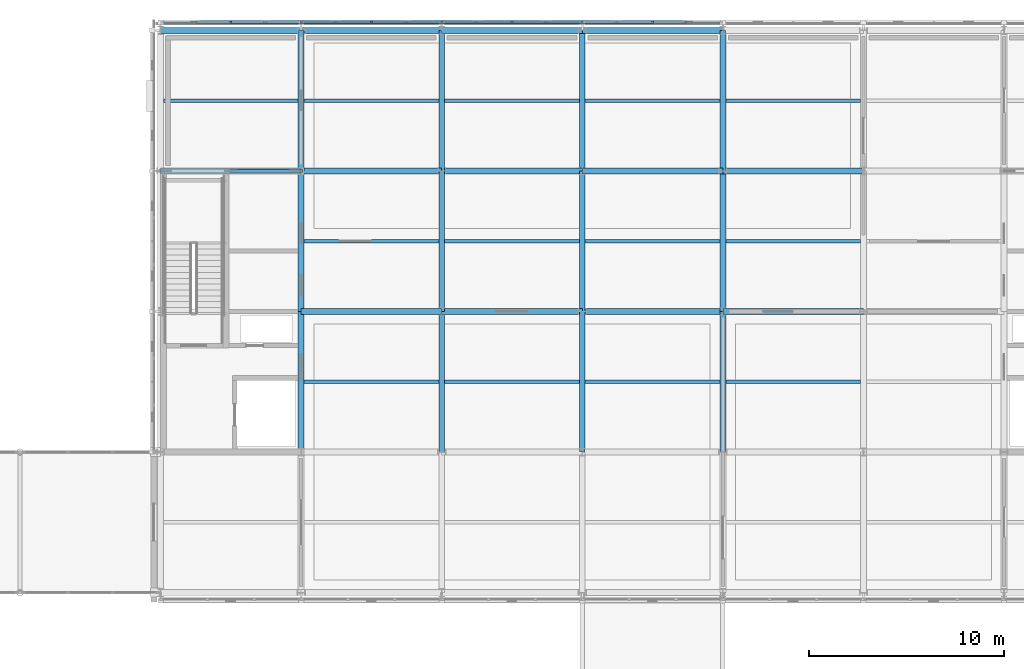
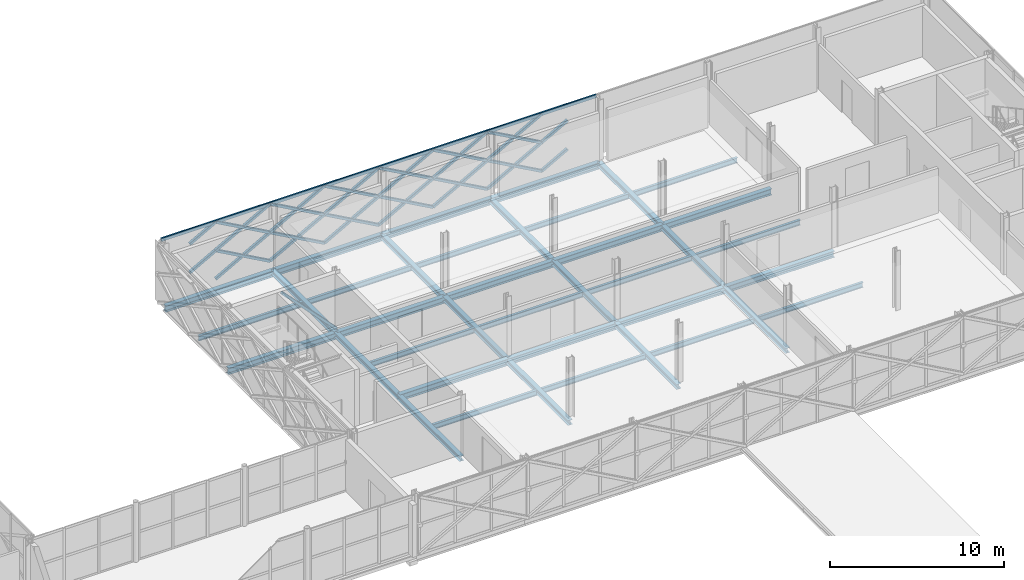
# One storey, part 53 of 126: 45 members, 38 beams.
"""IFC4 building model written with IfcOpenShell, lengths in metres."""

from ifc_helpers import new_model, si_unit, direction, frame, origin, origin_2d, place, context, subcontext, project, spatial, hollow_rectangle, i_section, extrude, material, material_profile, profile_set, type_object, element, save


model = new_model("IFC4")

# Units and contexts
model_context = context("Model", 3, precision=1e-05, world=origin(), true_north=direction((0.0, 1.0)))
body_context = subcontext(model_context, "Body", "Model", "MODEL_VIEW")
ifc_project = project(units=[si_unit("LENGTHUNIT", "METRE"), si_unit("AREAUNIT", "SQUARE_METRE"), si_unit("VOLUMEUNIT", "CUBIC_METRE"), si_unit("PLANEANGLEUNIT", "RADIAN"), si_unit("MASSUNIT", "GRAM", prefix="KILO")], contexts=[model_context])

# Site, building, storey
site_placement = place(None, origin())
site = spatial("IfcSite", under=ifc_project, at=site_placement, CompositionType="ELEMENT")
building_placement = place(site_placement, origin())
building = spatial("IfcBuilding", under=site, at=building_placement, Name="Zlatovets Crest Museum", CompositionType="ELEMENT")
storey_placement = place(building_placement, frame((0.0, 0.0, 8.699951171875)))
storey = spatial("IfcBuildingStorey", under=building, at=storey_placement, Name="L02", CompositionType="ELEMENT", Elevation=8.699951171875)

# Beams
ifc_material_1 = material(Name="Structural steel S355J2", Category="steel")
ifc_material_profile_1 = material_profile(ifc_material_1, i_section(OverallWidth=0.300048828125, OverallDepth=0.35009765625, WebThickness=0.010009765625, FlangeThickness=0.017578125, FilletRadius=0.027099609375, at=origin_2d()), Name="HEA 360")
ifc_profile_set_1 = profile_set([ifc_material_profile_1], Name="Structural steel S355J2")
beam_type_1 = type_object("IfcBeamType", Name="Beam_B-03", PredefinedType="BEAM", material=ifc_profile_set_1)
for number, where, z_axis, x_axis, name in (
    (1, (64.800048828125, 93.60009765625, -0.39501953125), (0.0, 1.0, 0.0), (-1.0, 0.0, 0.0), "V1 L02 Grid Beam B-03"),
    (2, (64.800048828125, 100.800048828125, -0.39501953125), (0.0, 1.0, 0.0), (-1.0, 0.0, 0.0), "V1 L02 Grid Beam B-03"),
    (3, (64.800048828125, 108.0, -0.39501953125), (0.0, 1.0, 0.0), (-1.0, 0.0, 0.0), "V1 L02 Grid Beam B-03"),
    (4, (72.0, 93.60009765625, -0.39501953125), (0.0, 1.0, 0.0), (-1.0, 0.0, 0.0), "V1 L02 Grid Beam B-03"),
    (5, (72.0, 100.800048828125, -0.39501953125), (0.0, 1.0, 0.0), (-1.0, 0.0, 0.0), "V1 L02 Grid Beam B-03"),
    (6, (72.0, 108.0, -0.39501953125), (0.0, 1.0, 0.0), (-1.0, 0.0, 0.0), "V1 L02 Grid Beam B-03"),
    (7, (79.199951171875, 93.60009765625, -0.39501953125), (0.0, 1.0, 0.0), (-1.0, 0.0, 0.0), "V1 L02 Grid Beam B-03"),
    (8, (79.199951171875, 100.800048828125, -0.39501953125), (0.0, 1.0, 0.0), (-1.0, 0.0, 0.0), "V1 L02 Grid Beam B-03"),
    (9, (79.199951171875, 108.0, -0.39501953125), (0.0, 1.0, 0.0), (-1.0, 0.0, 0.0), "V1 L02 Grid Beam B-03"),
    (10, (86.39990234375, 93.60009765625, -0.39501953125), (0.0, 1.0, 0.0), (-1.0, 0.0, 0.0), "V1 L02 Grid Beam B-03"),
    (11, (86.39990234375, 100.800048828125, -0.39501953125), (0.0, 1.0, 0.0), (-1.0, 0.0, 0.0), "V1 L02 Grid Beam B-03"),
    (12, (86.39990234375, 108.0, -0.39501953125), (0.0, 1.0, 0.0), (-1.0, 0.0, 0.0), "V1 L02 Grid Beam B-03"),
):
    element("IfcBeam", number, at=place(storey_placement, frame(where, z_axis=z_axis, x_axis=x_axis)), inside=storey, type_object=beam_type_1, Name=name, PredefinedType="BEAM", context=body_context, shape_type="SweptSolid", body=[
        extrude(i_section(OverallWidth=0.300048828125, OverallDepth=0.35009765625, WebThickness=0.010009765625, FlangeThickness=0.017578125, FilletRadius=0.027099609375, at=origin_2d()), origin(), (0.0, 0.0, 1.0), 7.199951171875),
    ])
ifc_material_profile_2 = material_profile(ifc_material_1, i_section(OverallWidth=0.300048828125, OverallDepth=0.43994140625, WebThickness=0.011474609375, FlangeThickness=0.02099609375, FilletRadius=0.027099609375, at=origin_2d()), Name="HEA 450")
ifc_profile_set_2 = profile_set([ifc_material_profile_2], Name="Structural steel S355J2")
beam_type_2 = type_object("IfcBeamType", Name="Beam_B-10", PredefinedType="BEAM", material=ifc_profile_set_2)
for number, where, z_axis, x_axis, name in (
    (13, (64.800048828125, 100.800048828125, -0.43994140625), (1.0, 0.0, 0.0), (0.0, 1.0, 0.0), "V1 L02 Primary Girder B-10"),
    (14, (72.0, 100.800048828125, -0.43994140625), (1.0, 0.0, 0.0), (0.0, 1.0, 0.0), "V1 L02 Primary Girder B-10"),
    (15, (79.199951171875, 100.800048828125, -0.43994140625), (1.0, 0.0, 0.0), (0.0, 1.0, 0.0), "V1 L02 Primary Girder B-10"),
):
    element("IfcBeam", number, at=place(storey_placement, frame(where, z_axis=z_axis, x_axis=x_axis)), inside=storey, type_object=beam_type_2, Name=name, PredefinedType="BEAM", context=body_context, shape_type="SweptSolid", body=[
        extrude(i_section(OverallWidth=0.300048828125, OverallDepth=0.43994140625, WebThickness=0.011474609375, FlangeThickness=0.02099609375, FilletRadius=0.027099609375, at=origin_2d()), origin(), (0.0, 0.0, 1.0), 7.199951171875),
    ])
beam_1_placement = place(storey_placement, frame((86.39990234375, 100.800048828125, -0.43994140625), z_axis=(1.0, 0.0, 0.0), x_axis=(0.0, 1.0, 0.0)))
element("IfcBeam", 16, at=beam_1_placement, inside=storey, type_object=beam_type_2, Name="V1 L02 Primary Girder B-10", PredefinedType="BEAM", context=body_context, shape_type="SweptSolid", body=[
    extrude(i_section(OverallWidth=0.300048828125, OverallDepth=0.43994140625, WebThickness=0.011474609375, FlangeThickness=0.02099609375, FilletRadius=0.027099609375, at=origin_2d()), origin(), (0.0, 0.0, 1.0), 7.2001953125),
])
for number, where, z_axis, x_axis, name in (
    (17, (57.60009765625, 108.0, -0.43994140625), (1.0, 0.0, 0.0), (0.0, 1.0, 0.0), "V1 L02 Primary Girder B-10"),
    (18, (64.800048828125, 108.0, -0.43994140625), (1.0, 0.0, 0.0), (0.0, 1.0, 0.0), "V1 L02 Primary Girder B-10"),
    (19, (72.0, 108.0, -0.43994140625), (1.0, 0.0, 0.0), (0.0, 1.0, 0.0), "V1 L02 Primary Girder B-10"),
    (20, (79.199951171875, 108.0, -0.43994140625), (1.0, 0.0, 0.0), (0.0, 1.0, 0.0), "V1 L02 Primary Girder B-10"),
):
    element("IfcBeam", number, at=place(storey_placement, frame(where, z_axis=z_axis, x_axis=x_axis)), inside=storey, type_object=beam_type_2, Name=name, PredefinedType="BEAM", context=body_context, shape_type="SweptSolid", body=[
        extrude(i_section(OverallWidth=0.300048828125, OverallDepth=0.43994140625, WebThickness=0.011474609375, FlangeThickness=0.02099609375, FilletRadius=0.027099609375, at=origin_2d()), origin(), (0.0, 0.0, 1.0), 7.199951171875),
    ])
beam_2_placement = place(storey_placement, frame((86.39990234375, 108.0, -0.43994140625), z_axis=(1.0, 0.0, 0.0), x_axis=(0.0, 1.0, 0.0)))
element("IfcBeam", 21, at=beam_2_placement, inside=storey, type_object=beam_type_2, Name="V1 L02 Primary Girder B-10", PredefinedType="BEAM", context=body_context, shape_type="SweptSolid", body=[
    extrude(i_section(OverallWidth=0.300048828125, OverallDepth=0.43994140625, WebThickness=0.011474609375, FlangeThickness=0.02099609375, FilletRadius=0.027099609375, at=origin_2d()), origin(), (0.0, 0.0, 1.0), 7.2001953125),
])
for number, where, z_axis, x_axis, name in (
    (22, (57.60009765625, 115.199951171875, -0.43994140625), (1.0, 0.0, 0.0), (0.0, 1.0, 0.0), "V1 L02 Primary Girder B-10"),
    (23, (64.800048828125, 115.199951171875, -0.43994140625), (1.0, 0.0, 0.0), (0.0, 1.0, 0.0), "V1 L02 Primary Girder B-10"),
    (24, (72.0, 115.199951171875, -0.43994140625), (1.0, 0.0, 0.0), (0.0, 1.0, 0.0), "V1 L02 Primary Girder B-10"),
    (25, (79.199951171875, 115.199951171875, -0.43994140625), (1.0, 0.0, 0.0), (0.0, 1.0, 0.0), "V1 L02 Primary Girder B-10"),
):
    element("IfcBeam", number, at=place(storey_placement, frame(where, z_axis=z_axis, x_axis=x_axis)), inside=storey, type_object=beam_type_2, Name=name, PredefinedType="BEAM", context=body_context, shape_type="SweptSolid", body=[
        extrude(i_section(OverallWidth=0.300048828125, OverallDepth=0.43994140625, WebThickness=0.011474609375, FlangeThickness=0.02099609375, FilletRadius=0.027099609375, at=origin_2d()), origin(), (0.0, 0.0, 1.0), 7.199951171875),
    ])
ifc_material_profile_3 = material_profile(ifc_material_1, i_section(OverallWidth=0.169921875, OverallDepth=0.360107421875, WebThickness=0.008056640625, FlangeThickness=0.0126953125, FilletRadius=0.01806640625, at=origin_2d()), Name="IPE 360")
ifc_profile_set_3 = profile_set([ifc_material_profile_3], Name="Structural steel S355J2")
beam_type_3 = type_object("IfcBeamType", Name="Beam_J-01", PredefinedType="JOIST", material=ifc_profile_set_3)
beam_3_placement = place(storey_placement, frame((57.75, 111.60009765625, -0.39990234375), z_axis=(1.0, 0.0, 0.0), x_axis=(0.0, 1.0, 0.0)))
element("IfcBeam", 26, at=beam_3_placement, inside=storey, type_object=beam_type_3, Name="V1 L02 Composite Joist J-01", PredefinedType="JOIST", context=body_context, shape_type="SweptSolid", body=[
    extrude(i_section(OverallWidth=0.169921875, OverallDepth=0.360107421875, WebThickness=0.008056640625, FlangeThickness=0.0126953125, FilletRadius=0.01806640625, at=origin_2d()), origin(), (0.0, 0.0, 1.0), 6.89990234375),
])
for number, where, z_axis, x_axis, name in (
    (27, (64.949951171875, 97.199951171875, -0.39990234375), (1.0, 0.0, 0.0), (0.0, 1.0, 0.0), "V1 L02 Composite Joist J-01"),
    (28, (64.949951171875, 104.39990234375, -0.39990234375), (1.0, 0.0, 0.0), (0.0, 1.0, 0.0), "V1 L02 Composite Joist J-01"),
    (29, (64.949951171875, 111.60009765625, -0.39990234375), (1.0, 0.0, 0.0), (0.0, 1.0, 0.0), "V1 L02 Composite Joist J-01"),
    (30, (72.14990234375, 97.199951171875, -0.39990234375), (1.0, 0.0, 0.0), (0.0, 1.0, 0.0), "V1 L02 Composite Joist J-01"),
    (31, (72.14990234375, 104.39990234375, -0.39990234375), (1.0, 0.0, 0.0), (0.0, 1.0, 0.0), "V1 L02 Composite Joist J-01"),
    (32, (72.14990234375, 111.60009765625, -0.39990234375), (1.0, 0.0, 0.0), (0.0, 1.0, 0.0), "V1 L02 Composite Joist J-01"),
):
    element("IfcBeam", number, at=place(storey_placement, frame(where, z_axis=z_axis, x_axis=x_axis)), inside=storey, type_object=beam_type_3, Name=name, PredefinedType="JOIST", context=body_context, shape_type="SweptSolid", body=[
        extrude(i_section(OverallWidth=0.169921875, OverallDepth=0.360107421875, WebThickness=0.008056640625, FlangeThickness=0.0126953125, FilletRadius=0.01806640625, at=origin_2d()), origin(), (0.0, 0.0, 1.0), 6.900146484375),
    ])
for number, where, z_axis, x_axis, name in (
    (33, (79.35009765625, 97.199951171875, -0.39990234375), (1.0, 0.0, 0.0), (0.0, 1.0, 0.0), "V1 L02 Composite Joist J-01"),
    (34, (79.35009765625, 104.39990234375, -0.39990234375), (1.0, 0.0, 0.0), (0.0, 1.0, 0.0), "V1 L02 Composite Joist J-01"),
    (35, (79.35009765625, 111.60009765625, -0.39990234375), (1.0, 0.0, 0.0), (0.0, 1.0, 0.0), "V1 L02 Composite Joist J-01"),
    (36, (86.550048828125, 97.199951171875, -0.39990234375), (1.0, 0.0, 0.0), (0.0, 1.0, 0.0), "V1 L02 Composite Joist J-01"),
    (37, (86.550048828125, 104.39990234375, -0.39990234375), (1.0, 0.0, 0.0), (0.0, 1.0, 0.0), "V1 L02 Composite Joist J-01"),
    (38, (86.550048828125, 111.60009765625, -0.39990234375), (1.0, 0.0, 0.0), (0.0, 1.0, 0.0), "V1 L02 Composite Joist J-01"),
):
    element("IfcBeam", number, at=place(storey_placement, frame(where, z_axis=z_axis, x_axis=x_axis)), inside=storey, type_object=beam_type_3, Name=name, PredefinedType="JOIST", context=body_context, shape_type="SweptSolid", body=[
        extrude(i_section(OverallWidth=0.169921875, OverallDepth=0.360107421875, WebThickness=0.008056640625, FlangeThickness=0.0126953125, FilletRadius=0.01806640625, at=origin_2d()), origin(), (0.0, 0.0, 1.0), 6.89990234375),
    ])

# Members
ifc_material_2 = material(Name="Weathering bronze-steel S355J2W", Category="steel")
ifc_material_profile_4 = material_profile(ifc_material_2, hollow_rectangle(XDim=0.179931640625, YDim=0.179931640625, WallThickness=0.010009765625, InnerFilletRadius=0.010009765625, OuterFilletRadius=0.02001953125, at=origin_2d()), Name="SHS 180x180x10.0")
ifc_profile_set_4 = profile_set([ifc_material_profile_4], Name="Weathering bronze-steel S355J2W")
member_type_1 = type_object("IfcMemberType", Name="Lattice_XL-01", PredefinedType="BRACE", material=ifc_profile_set_4)
member_1_placement = place(storey_placement, frame((84.51708984375, 115.6201171875, 1.053955078125), z_axis=(-0.874169001841, 0.0, -0.485621824284), x_axis=(0.0, -1.0, 0.0)))
element("IfcMember", 39, at=member_1_placement, inside=storey, type_object=member_type_1, Name="Split Crossing Bronze Lattice Diagonal Lower", PredefinedType="BRACE", context=body_context, shape_type="SweptSolid", body=[
    extrude(hollow_rectangle(XDim=0.179931640625, YDim=0.179931640625, WallThickness=0.010009765625, InnerFilletRadius=0.010009765625, OuterFilletRadius=0.02001953125, at=origin_2d()), origin(), (0.0, 0.0, 1.0), 1.964111328125),
])
member_2_placement = place(storey_placement, frame((82.800048828125, 115.6201171875, 0.10009765625), z_axis=(-0.874162868644, 0.0, 0.485632864501), x_axis=(0.0, -1.0, 0.0)))
element("IfcMember", 40, at=member_2_placement, inside=storey, type_object=member_type_1, Name="Continuous Bronze Lattice Diagonal", PredefinedType="BRACE", context=body_context, shape_type="SweptSolid", body=[
    extrude(hollow_rectangle(XDim=0.179931640625, YDim=0.179931640625, WallThickness=0.010009765625, InnerFilletRadius=0.010009765625, OuterFilletRadius=0.02001953125, at=origin_2d()), origin(), (0.0, 0.0, 1.0), 4.118408203125),
])
for number, where, z_axis, x_axis, name in (
    (41, (82.800048828125, 115.6201171875, 2.10009765625), (-0.874169001841, 0.0, -0.485621824284), (0.0, -1.0, 0.0), "Split Crossing Bronze Lattice Diagonal Upper"),
    (42, (80.9169921875, 115.6201171875, 1.053955078125), (-0.874169001841, 0.0, -0.485621824284), (0.0, -1.0, 0.0), "Split Crossing Bronze Lattice Diagonal Lower"),
    (43, (84.51708984375, 115.6201171875, 3.053955078125), (-0.874169001841, 0.0, -0.485621824284), (0.0, -1.0, 0.0), "Split Crossing Bronze Lattice Diagonal Lower"),
):
    element("IfcMember", number, at=place(storey_placement, frame(where, z_axis=z_axis, x_axis=x_axis)), inside=storey, type_object=member_type_1, Name=name, PredefinedType="BRACE", context=body_context, shape_type="SweptSolid", body=[
        extrude(hollow_rectangle(XDim=0.179931640625, YDim=0.179931640625, WallThickness=0.010009765625, InnerFilletRadius=0.010009765625, OuterFilletRadius=0.02001953125, at=origin_2d()), origin(), (0.0, 0.0, 1.0), 1.964111328125),
    ])
member_3_placement = place(storey_placement, frame((82.800048828125, 115.6201171875, 2.10009765625), z_axis=(-0.874162868644, 0.0, 0.485632864501), x_axis=(0.0, -1.0, 0.0)))
element("IfcMember", 44, at=member_3_placement, inside=storey, type_object=member_type_1, Name="Continuous Bronze Lattice Diagonal", PredefinedType="BRACE", context=body_context, shape_type="SweptSolid", body=[
    extrude(hollow_rectangle(XDim=0.179931640625, YDim=0.179931640625, WallThickness=0.010009765625, InnerFilletRadius=0.010009765625, OuterFilletRadius=0.02001953125, at=origin_2d()), origin(), (0.0, 0.0, 1.0), 4.118408203125),
])
for number, where, z_axis, x_axis, name in (
    (45, (82.800048828125, 115.6201171875, 4.10009765625), (-0.874169001841, 0.0, -0.485621824284), (0.0, -1.0, 0.0), "Split Crossing Bronze Lattice Diagonal Upper"),
    (46, (80.9169921875, 115.6201171875, 3.053955078125), (-0.874169001841, 0.0, -0.485621824284), (0.0, -1.0, 0.0), "Split Crossing Bronze Lattice Diagonal Lower"),
):
    element("IfcMember", number, at=place(storey_placement, frame(where, z_axis=z_axis, x_axis=x_axis)), inside=storey, type_object=member_type_1, Name=name, PredefinedType="BRACE", context=body_context, shape_type="SweptSolid", body=[
        extrude(hollow_rectangle(XDim=0.179931640625, YDim=0.179931640625, WallThickness=0.010009765625, InnerFilletRadius=0.010009765625, OuterFilletRadius=0.02001953125, at=origin_2d()), origin(), (0.0, 0.0, 1.0), 1.964111328125),
    ])
member_4_placement = place(storey_placement, frame((79.199951171875, 115.6201171875, 0.10009765625), z_axis=(-0.874148886685, 0.0, 0.485658031857), x_axis=(0.0, -1.0, 0.0)))
element("IfcMember", 47, at=member_4_placement, inside=storey, type_object=member_type_1, Name="Continuous Bronze Lattice Diagonal", PredefinedType="BRACE", context=body_context, shape_type="SweptSolid", body=[
    extrude(hollow_rectangle(XDim=0.179931640625, YDim=0.179931640625, WallThickness=0.010009765625, InnerFilletRadius=0.010009765625, OuterFilletRadius=0.02001953125, at=origin_2d()), origin(), (0.0, 0.0, 1.0), 4.1181640625),
])
member_5_placement = place(storey_placement, frame((79.199951171875, 115.6201171875, 2.10009765625), z_axis=(-0.874169001841, 0.0, -0.485621824284), x_axis=(0.0, -1.0, 0.0)))
element("IfcMember", 48, at=member_5_placement, inside=storey, type_object=member_type_1, Name="Split Crossing Bronze Lattice Diagonal Upper", PredefinedType="BRACE", context=body_context, shape_type="SweptSolid", body=[
    extrude(hollow_rectangle(XDim=0.179931640625, YDim=0.179931640625, WallThickness=0.010009765625, InnerFilletRadius=0.010009765625, OuterFilletRadius=0.02001953125, at=origin_2d()), origin(), (0.0, 0.0, 1.0), 1.964111328125),
])
member_6_placement = place(storey_placement, frame((77.31689453125, 115.6201171875, 1.053955078125), z_axis=(-0.874139684676, 0.0, -0.48567459443), x_axis=(0.0, -1.0, 0.0)))
element("IfcMember", 49, at=member_6_placement, inside=storey, type_object=member_type_1, Name="Split Crossing Bronze Lattice Diagonal Lower", PredefinedType="BRACE", context=body_context, shape_type="SweptSolid", body=[
    extrude(hollow_rectangle(XDim=0.179931640625, YDim=0.179931640625, WallThickness=0.010009765625, InnerFilletRadius=0.010009765625, OuterFilletRadius=0.02001953125, at=origin_2d()), origin(), (0.0, 0.0, 1.0), 1.9638671875),
])
member_7_placement = place(storey_placement, frame((75.60009765625, 115.6201171875, 0.10009765625), z_axis=(-0.874162868644, 0.0, 0.485632864501), x_axis=(0.0, -1.0, 0.0)))
element("IfcMember", 50, at=member_7_placement, inside=storey, type_object=member_type_1, Name="Continuous Bronze Lattice Diagonal", PredefinedType="BRACE", context=body_context, shape_type="SweptSolid", body=[
    extrude(hollow_rectangle(XDim=0.179931640625, YDim=0.179931640625, WallThickness=0.010009765625, InnerFilletRadius=0.010009765625, OuterFilletRadius=0.02001953125, at=origin_2d()), origin(), (0.0, 0.0, 1.0), 4.118408203125),
])
for number, where, z_axis, x_axis, name in (
    (51, (75.60009765625, 115.6201171875, 2.10009765625), (-0.874169001841, 0.0, -0.485621824284), (0.0, -1.0, 0.0), "Split Crossing Bronze Lattice Diagonal Upper"),
    (52, (73.717041015625, 115.6201171875, 1.053955078125), (-0.874169001841, 0.0, -0.485621824284), (0.0, -1.0, 0.0), "Split Crossing Bronze Lattice Diagonal Lower"),
):
    element("IfcMember", number, at=place(storey_placement, frame(where, z_axis=z_axis, x_axis=x_axis)), inside=storey, type_object=member_type_1, Name=name, PredefinedType="BRACE", context=body_context, shape_type="SweptSolid", body=[
        extrude(hollow_rectangle(XDim=0.179931640625, YDim=0.179931640625, WallThickness=0.010009765625, InnerFilletRadius=0.010009765625, OuterFilletRadius=0.02001953125, at=origin_2d()), origin(), (0.0, 0.0, 1.0), 1.964111328125),
    ])
member_8_placement = place(storey_placement, frame((79.199951171875, 115.6201171875, 2.10009765625), z_axis=(-0.874148886685, 0.0, 0.485658031857), x_axis=(0.0, -1.0, 0.0)))
element("IfcMember", 53, at=member_8_placement, inside=storey, type_object=member_type_1, Name="Continuous Bronze Lattice Diagonal", PredefinedType="BRACE", context=body_context, shape_type="SweptSolid", body=[
    extrude(hollow_rectangle(XDim=0.179931640625, YDim=0.179931640625, WallThickness=0.010009765625, InnerFilletRadius=0.010009765625, OuterFilletRadius=0.02001953125, at=origin_2d()), origin(), (0.0, 0.0, 1.0), 4.1181640625),
])
member_9_placement = place(storey_placement, frame((79.199951171875, 115.6201171875, 4.10009765625), z_axis=(-0.874169001841, 0.0, -0.485621824284), x_axis=(0.0, -1.0, 0.0)))
element("IfcMember", 54, at=member_9_placement, inside=storey, type_object=member_type_1, Name="Split Crossing Bronze Lattice Diagonal Upper", PredefinedType="BRACE", context=body_context, shape_type="SweptSolid", body=[
    extrude(hollow_rectangle(XDim=0.179931640625, YDim=0.179931640625, WallThickness=0.010009765625, InnerFilletRadius=0.010009765625, OuterFilletRadius=0.02001953125, at=origin_2d()), origin(), (0.0, 0.0, 1.0), 1.964111328125),
])
member_10_placement = place(storey_placement, frame((77.31689453125, 115.6201171875, 3.053955078125), z_axis=(-0.874139684676, 0.0, -0.48567459443), x_axis=(0.0, -1.0, 0.0)))
element("IfcMember", 55, at=member_10_placement, inside=storey, type_object=member_type_1, Name="Split Crossing Bronze Lattice Diagonal Lower", PredefinedType="BRACE", context=body_context, shape_type="SweptSolid", body=[
    extrude(hollow_rectangle(XDim=0.179931640625, YDim=0.179931640625, WallThickness=0.010009765625, InnerFilletRadius=0.010009765625, OuterFilletRadius=0.02001953125, at=origin_2d()), origin(), (0.0, 0.0, 1.0), 1.9638671875),
])
member_11_placement = place(storey_placement, frame((75.60009765625, 115.6201171875, 2.10009765625), z_axis=(-0.874162868644, 0.0, 0.485632864501), x_axis=(0.0, -1.0, 0.0)))
element("IfcMember", 56, at=member_11_placement, inside=storey, type_object=member_type_1, Name="Continuous Bronze Lattice Diagonal", PredefinedType="BRACE", context=body_context, shape_type="SweptSolid", body=[
    extrude(hollow_rectangle(XDim=0.179931640625, YDim=0.179931640625, WallThickness=0.010009765625, InnerFilletRadius=0.010009765625, OuterFilletRadius=0.02001953125, at=origin_2d()), origin(), (0.0, 0.0, 1.0), 4.118408203125),
])
for number, where, z_axis, x_axis, name in (
    (57, (75.60009765625, 115.6201171875, 4.10009765625), (-0.874169001841, 0.0, -0.485621824284), (0.0, -1.0, 0.0), "Split Crossing Bronze Lattice Diagonal Upper"),
    (58, (73.717041015625, 115.6201171875, 3.053955078125), (-0.874169001841, 0.0, -0.485621824284), (0.0, -1.0, 0.0), "Split Crossing Bronze Lattice Diagonal Lower"),
):
    element("IfcMember", number, at=place(storey_placement, frame(where, z_axis=z_axis, x_axis=x_axis)), inside=storey, type_object=member_type_1, Name=name, PredefinedType="BRACE", context=body_context, shape_type="SweptSolid", body=[
        extrude(hollow_rectangle(XDim=0.179931640625, YDim=0.179931640625, WallThickness=0.010009765625, InnerFilletRadius=0.010009765625, OuterFilletRadius=0.02001953125, at=origin_2d()), origin(), (0.0, 0.0, 1.0), 1.964111328125),
    ])
member_12_placement = place(storey_placement, frame((72.0, 115.6201171875, 0.10009765625), z_axis=(-0.874162868644, 0.0, 0.485632864501), x_axis=(0.0, -1.0, 0.0)))
element("IfcMember", 59, at=member_12_placement, inside=storey, type_object=member_type_1, Name="Continuous Bronze Lattice Diagonal", PredefinedType="BRACE", context=body_context, shape_type="SweptSolid", body=[
    extrude(hollow_rectangle(XDim=0.179931640625, YDim=0.179931640625, WallThickness=0.010009765625, InnerFilletRadius=0.010009765625, OuterFilletRadius=0.02001953125, at=origin_2d()), origin(), (0.0, 0.0, 1.0), 4.118408203125),
])
for number, where, z_axis, x_axis, name in (
    (60, (72.0, 115.6201171875, 2.10009765625), (-0.874169001841, 0.0, -0.485621824284), (0.0, -1.0, 0.0), "Split Crossing Bronze Lattice Diagonal Upper"),
    (61, (70.116943359375, 115.6201171875, 1.053955078125), (-0.874169001841, 0.0, -0.485621824284), (0.0, -1.0, 0.0), "Split Crossing Bronze Lattice Diagonal Lower"),
):
    element("IfcMember", number, at=place(storey_placement, frame(where, z_axis=z_axis, x_axis=x_axis)), inside=storey, type_object=member_type_1, Name=name, PredefinedType="BRACE", context=body_context, shape_type="SweptSolid", body=[
        extrude(hollow_rectangle(XDim=0.179931640625, YDim=0.179931640625, WallThickness=0.010009765625, InnerFilletRadius=0.010009765625, OuterFilletRadius=0.02001953125, at=origin_2d()), origin(), (0.0, 0.0, 1.0), 1.964111328125),
    ])
member_13_placement = place(storey_placement, frame((68.39990234375, 115.6201171875, 0.10009765625), z_axis=(-0.874148886685, 0.0, 0.485658031857), x_axis=(0.0, -1.0, 0.0)))
element("IfcMember", 62, at=member_13_placement, inside=storey, type_object=member_type_1, Name="Continuous Bronze Lattice Diagonal", PredefinedType="BRACE", context=body_context, shape_type="SweptSolid", body=[
    extrude(hollow_rectangle(XDim=0.179931640625, YDim=0.179931640625, WallThickness=0.010009765625, InnerFilletRadius=0.010009765625, OuterFilletRadius=0.02001953125, at=origin_2d()), origin(), (0.0, 0.0, 1.0), 4.1181640625),
])
member_14_placement = place(storey_placement, frame((68.39990234375, 115.6201171875, 2.10009765625), z_axis=(-0.874139684676, 0.0, -0.48567459443), x_axis=(0.0, -1.0, 0.0)))
element("IfcMember", 63, at=member_14_placement, inside=storey, type_object=member_type_1, Name="Split Crossing Bronze Lattice Diagonal Upper", PredefinedType="BRACE", context=body_context, shape_type="SweptSolid", body=[
    extrude(hollow_rectangle(XDim=0.179931640625, YDim=0.179931640625, WallThickness=0.010009765625, InnerFilletRadius=0.010009765625, OuterFilletRadius=0.02001953125, at=origin_2d()), origin(), (0.0, 0.0, 1.0), 1.9638671875),
])
member_15_placement = place(storey_placement, frame((66.51708984375, 115.6201171875, 1.053955078125), z_axis=(-0.874169001841, 0.0, -0.485621824284), x_axis=(0.0, -1.0, 0.0)))
element("IfcMember", 64, at=member_15_placement, inside=storey, type_object=member_type_1, Name="Split Crossing Bronze Lattice Diagonal Lower", PredefinedType="BRACE", context=body_context, shape_type="SweptSolid", body=[
    extrude(hollow_rectangle(XDim=0.179931640625, YDim=0.179931640625, WallThickness=0.010009765625, InnerFilletRadius=0.010009765625, OuterFilletRadius=0.02001953125, at=origin_2d()), origin(), (0.0, 0.0, 1.0), 1.964111328125),
])
member_16_placement = place(storey_placement, frame((72.0, 115.6201171875, 2.10009765625), z_axis=(-0.874162868644, 0.0, 0.485632864501), x_axis=(0.0, -1.0, 0.0)))
element("IfcMember", 65, at=member_16_placement, inside=storey, type_object=member_type_1, Name="Continuous Bronze Lattice Diagonal", PredefinedType="BRACE", context=body_context, shape_type="SweptSolid", body=[
    extrude(hollow_rectangle(XDim=0.179931640625, YDim=0.179931640625, WallThickness=0.010009765625, InnerFilletRadius=0.010009765625, OuterFilletRadius=0.02001953125, at=origin_2d()), origin(), (0.0, 0.0, 1.0), 4.118408203125),
])
for number, where, z_axis, x_axis, name in (
    (66, (72.0, 115.6201171875, 4.10009765625), (-0.874169001841, 0.0, -0.485621824284), (0.0, -1.0, 0.0), "Split Crossing Bronze Lattice Diagonal Upper"),
    (67, (70.116943359375, 115.6201171875, 3.053955078125), (-0.874169001841, 0.0, -0.485621824284), (0.0, -1.0, 0.0), "Split Crossing Bronze Lattice Diagonal Lower"),
):
    element("IfcMember", number, at=place(storey_placement, frame(where, z_axis=z_axis, x_axis=x_axis)), inside=storey, type_object=member_type_1, Name=name, PredefinedType="BRACE", context=body_context, shape_type="SweptSolid", body=[
        extrude(hollow_rectangle(XDim=0.179931640625, YDim=0.179931640625, WallThickness=0.010009765625, InnerFilletRadius=0.010009765625, OuterFilletRadius=0.02001953125, at=origin_2d()), origin(), (0.0, 0.0, 1.0), 1.964111328125),
    ])
member_17_placement = place(storey_placement, frame((68.39990234375, 115.6201171875, 2.10009765625), z_axis=(-0.874148886685, 0.0, 0.485658031857), x_axis=(0.0, -1.0, 0.0)))
element("IfcMember", 68, at=member_17_placement, inside=storey, type_object=member_type_1, Name="Continuous Bronze Lattice Diagonal", PredefinedType="BRACE", context=body_context, shape_type="SweptSolid", body=[
    extrude(hollow_rectangle(XDim=0.179931640625, YDim=0.179931640625, WallThickness=0.010009765625, InnerFilletRadius=0.010009765625, OuterFilletRadius=0.02001953125, at=origin_2d()), origin(), (0.0, 0.0, 1.0), 4.1181640625),
])
member_18_placement = place(storey_placement, frame((68.39990234375, 115.6201171875, 4.10009765625), z_axis=(-0.874139684676, 0.0, -0.48567459443), x_axis=(0.0, -1.0, 0.0)))
element("IfcMember", 69, at=member_18_placement, inside=storey, type_object=member_type_1, Name="Split Crossing Bronze Lattice Diagonal Upper", PredefinedType="BRACE", context=body_context, shape_type="SweptSolid", body=[
    extrude(hollow_rectangle(XDim=0.179931640625, YDim=0.179931640625, WallThickness=0.010009765625, InnerFilletRadius=0.010009765625, OuterFilletRadius=0.02001953125, at=origin_2d()), origin(), (0.0, 0.0, 1.0), 1.9638671875),
])
member_19_placement = place(storey_placement, frame((66.51708984375, 115.6201171875, 3.053955078125), z_axis=(-0.874169001841, 0.0, -0.485621824284), x_axis=(0.0, -1.0, 0.0)))
element("IfcMember", 70, at=member_19_placement, inside=storey, type_object=member_type_1, Name="Split Crossing Bronze Lattice Diagonal Lower", PredefinedType="BRACE", context=body_context, shape_type="SweptSolid", body=[
    extrude(hollow_rectangle(XDim=0.179931640625, YDim=0.179931640625, WallThickness=0.010009765625, InnerFilletRadius=0.010009765625, OuterFilletRadius=0.02001953125, at=origin_2d()), origin(), (0.0, 0.0, 1.0), 1.964111328125),
])
member_20_placement = place(storey_placement, frame((64.800048828125, 115.6201171875, 0.10009765625), z_axis=(-0.874162868644, 0.0, 0.485632864501), x_axis=(0.0, -1.0, 0.0)))
element("IfcMember", 71, at=member_20_placement, inside=storey, type_object=member_type_1, Name="Continuous Bronze Lattice Diagonal", PredefinedType="BRACE", context=body_context, shape_type="SweptSolid", body=[
    extrude(hollow_rectangle(XDim=0.179931640625, YDim=0.179931640625, WallThickness=0.010009765625, InnerFilletRadius=0.010009765625, OuterFilletRadius=0.02001953125, at=origin_2d()), origin(), (0.0, 0.0, 1.0), 4.118408203125),
])
for number, where, z_axis, x_axis, name in (
    (72, (64.800048828125, 115.6201171875, 2.10009765625), (-0.874169001841, 0.0, -0.485621824284), (0.0, -1.0, 0.0), "Split Crossing Bronze Lattice Diagonal Upper"),
    (73, (62.9169921875, 115.6201171875, 1.053955078125), (-0.874169001841, 0.0, -0.485621824284), (0.0, -1.0, 0.0), "Split Crossing Bronze Lattice Diagonal Lower"),
    (74, (61.199951171875, 115.6201171875, 2.10009765625), (-0.874169001841, 0.0, -0.485621824284), (0.0, -1.0, 0.0), "Split Crossing Bronze Lattice Diagonal Upper"),
):
    element("IfcMember", number, at=place(storey_placement, frame(where, z_axis=z_axis, x_axis=x_axis)), inside=storey, type_object=member_type_1, Name=name, PredefinedType="BRACE", context=body_context, shape_type="SweptSolid", body=[
        extrude(hollow_rectangle(XDim=0.179931640625, YDim=0.179931640625, WallThickness=0.010009765625, InnerFilletRadius=0.010009765625, OuterFilletRadius=0.02001953125, at=origin_2d()), origin(), (0.0, 0.0, 1.0), 1.964111328125),
    ])
member_21_placement = place(storey_placement, frame((64.800048828125, 115.6201171875, 2.10009765625), z_axis=(-0.874162868644, 0.0, 0.485632864501), x_axis=(0.0, -1.0, 0.0)))
element("IfcMember", 75, at=member_21_placement, inside=storey, type_object=member_type_1, Name="Continuous Bronze Lattice Diagonal", PredefinedType="BRACE", context=body_context, shape_type="SweptSolid", body=[
    extrude(hollow_rectangle(XDim=0.179931640625, YDim=0.179931640625, WallThickness=0.010009765625, InnerFilletRadius=0.010009765625, OuterFilletRadius=0.02001953125, at=origin_2d()), origin(), (0.0, 0.0, 1.0), 4.118408203125),
])
for number, where, z_axis, x_axis, name in (
    (76, (64.800048828125, 115.6201171875, 4.10009765625), (-0.874169001841, 0.0, -0.485621824284), (0.0, -1.0, 0.0), "Split Crossing Bronze Lattice Diagonal Upper"),
    (77, (62.9169921875, 115.6201171875, 3.053955078125), (-0.874169001841, 0.0, -0.485621824284), (0.0, -1.0, 0.0), "Split Crossing Bronze Lattice Diagonal Lower"),
    (78, (61.199951171875, 115.6201171875, 4.10009765625), (-0.874169001841, 0.0, -0.485621824284), (0.0, -1.0, 0.0), "Split Crossing Bronze Lattice Diagonal Upper"),
):
    element("IfcMember", number, at=place(storey_placement, frame(where, z_axis=z_axis, x_axis=x_axis)), inside=storey, type_object=member_type_1, Name=name, PredefinedType="BRACE", context=body_context, shape_type="SweptSolid", body=[
        extrude(hollow_rectangle(XDim=0.179931640625, YDim=0.179931640625, WallThickness=0.010009765625, InnerFilletRadius=0.010009765625, OuterFilletRadius=0.02001953125, at=origin_2d()), origin(), (0.0, 0.0, 1.0), 1.964111328125),
    ])
ifc_material_profile_5 = material_profile(ifc_material_2, hollow_rectangle(XDim=0.1201171875, YDim=0.239990234375, WallThickness=0.010009765625, InnerFilletRadius=0.010009765625, OuterFilletRadius=0.02001953125, at=origin_2d()), Name="RHS 120x240x10.0")
ifc_profile_set_5 = profile_set([ifc_material_profile_5], Name="Weathering bronze-steel S355J2W")
member_type_2 = type_object("IfcMemberType", Name="Lattice_XL-04", PredefinedType="CHORD", material=ifc_profile_set_5)
for number, where, z_axis, x_axis, name in (
    (79, (86.39990234375, 115.6201171875, 4.10009765625), (-1.0, 0.0, 0.0), (0.0, -1.0, 0.0), "Art Nouveau Woven Cage Collector Ring Chord"),
    (80, (79.199951171875, 115.6201171875, 4.10009765625), (-1.0, 0.0, 0.0), (0.0, -1.0, 0.0), "Art Nouveau Woven Cage Collector Ring Chord"),
    (81, (72.0, 115.6201171875, 4.10009765625), (-1.0, 0.0, 0.0), (0.0, -1.0, 0.0), "Art Nouveau Woven Cage Collector Ring Chord"),
    (82, (64.800048828125, 115.6201171875, 4.10009765625), (-1.0, 0.0, 0.0), (0.0, -1.0, 0.0), "Art Nouveau Woven Cage Collector Ring Chord"),
):
    element("IfcMember", number, at=place(storey_placement, frame(where, z_axis=z_axis, x_axis=x_axis)), inside=storey, type_object=member_type_2, Name=name, PredefinedType="CHORD", context=body_context, shape_type="SweptSolid", body=[
        extrude(hollow_rectangle(XDim=0.1201171875, YDim=0.239990234375, WallThickness=0.010009765625, InnerFilletRadius=0.010009765625, OuterFilletRadius=0.02001953125, at=origin_2d()), origin(), (0.0, 0.0, 1.0), 7.199951171875),
    ])
ifc_material_profile_6 = material_profile(ifc_material_1, hollow_rectangle(XDim=0.179931640625, YDim=0.179931640625, WallThickness=0.010009765625, InnerFilletRadius=0.010009765625, OuterFilletRadius=0.02001953125, at=origin_2d()), Name="SHS 180x180x10.0")
ifc_profile_set_6 = profile_set([ifc_material_profile_6], Name="Structural steel S355J2")
member_type_3 = type_object("IfcMemberType", Name="Member_BR-02", PredefinedType="BRACE", material=ifc_profile_set_6)
member_22_placement = place(storey_placement, frame((64.800048828125, 108.0, 0.0), z_axis=(-0.692541604294, 0.0, 0.721377935844), x_axis=(0.0, -1.0, 0.0)))
element("IfcMember", 83, at=member_22_placement, inside=storey, type_object=member_type_3, Name="V1 L02 Concentric Seismic Brace", PredefinedType="BRACE", context=body_context, shape_type="SweptSolid", body=[
    extrude(hollow_rectangle(XDim=0.179931640625, YDim=0.179931640625, WallThickness=0.010009765625, InnerFilletRadius=0.010009765625, OuterFilletRadius=0.02001953125, at=origin_2d()), origin(), (0.0, 0.0, 1.0), 5.198486328125),
])

save(model, "model.ifc")
